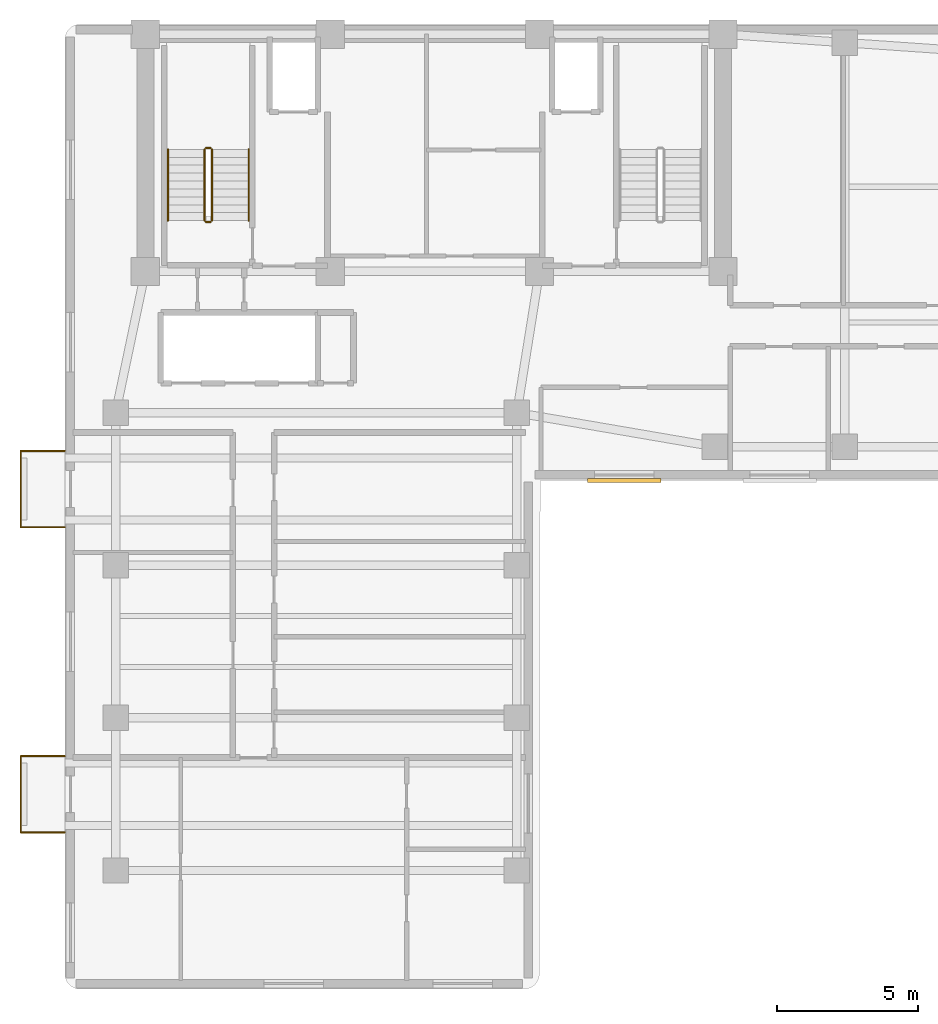
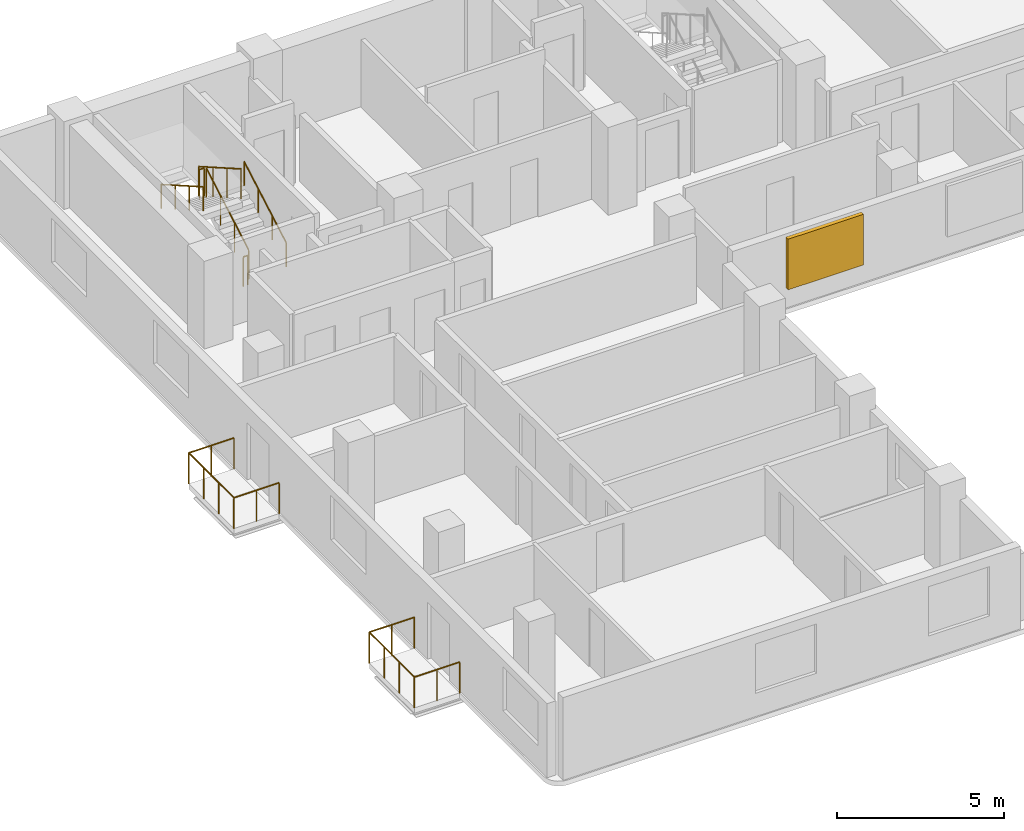
# One storey, part 5 of 6: 12 railings, 1 shading device.
"""IFC4 building model written with IfcOpenShell, lengths in metres."""

from ifc_helpers import new_model, si_unit, direction, frame, origin, origin_2d, place, context, subcontext, project, spatial, rectangle, circle, extrude, material, layer, layer_set, type_object, element, save


model = new_model("IFC4")

# Units and contexts
model_context = context("Model", 3, precision=1e-05, world=origin(), true_north=direction((0.0, 1.0)))
body_context = subcontext(model_context, "Body", "Model", "MODEL_VIEW")
ifc_project = project(units=[si_unit("LENGTHUNIT", "METRE"), si_unit("AREAUNIT", "SQUARE_METRE"), si_unit("VOLUMEUNIT", "CUBIC_METRE"), si_unit("PLANEANGLEUNIT", "RADIAN"), si_unit("MASSUNIT", "GRAM", prefix="KILO")], contexts=[model_context])

# Site, building, storey
site_placement = place(None, origin())
site = spatial("IfcSite", under=ifc_project, at=site_placement, CompositionType="ELEMENT")
building_placement = place(site_placement, origin())
building = spatial("IfcBuilding", under=site, at=building_placement, Name="Kuzgunbayir Cultural Tower", CompositionType="ELEMENT")
storey_placement = place(building_placement, frame((0.0, 0.0, 182.39990234375)))
storey = spatial("IfcBuildingStorey", under=building, at=storey_placement, Name="L53", CompositionType="ELEMENT", Elevation=182.39990234375)

# Railings
ifc_material_1 = material(Name="Laminated Glass and Stainless Steel", Category="steel")
ifc_layer_1 = layer(ifc_material_1, 0.080078125)
ifc_layer_set_1 = layer_set([ifc_layer_1], Name="Laminated Glass and Stainless Steel")
railing_type_1 = type_object("IfcRailingType", Name="RLG-BAL-115", PredefinedType="BALUSTRADE", material=ifc_layer_set_1)
railing_1_placement = place(storey_placement, frame((3.60009765625, 13.949951171875, 0.0)))
element("IfcRailing", 1, at=railing_1_placement, inside=storey, type_object=railing_type_1, Name="L53 Balcony Guard BAL-L53-WA1 Segment 1", PredefinedType="BALUSTRADE", context=body_context, shape_type="SweptSolid", body=[
    extrude(circle(Radius=0.02392578125, at=origin_2d()), frame((0.0, 0.0, 1.1259765625), z_axis=(-1.0, 0.0, 0.0), x_axis=(0.0, -1.0, 0.0)), (0.0, 0.0, 1.0), 1.56005859375),
    extrude(circle(Radius=0.02099609375, at=origin_2d()), origin(), (0.0, 0.0, 1.0), 1.101806640625),
    extrude(circle(Radius=0.02099609375, at=origin_2d()), frame((-0.780029296875, 0.0, 0.0)), (0.0, 0.0, 1.0), 1.101806640625),
    extrude(circle(Radius=0.02099609375, at=origin_2d()), frame((-1.56005859375, 0.0, 0.0)), (0.0, 0.0, 1.0), 1.101806640625),
])
railing_2_placement = place(storey_placement, frame((2.0400390625, 13.949951171875, 0.0)))
element("IfcRailing", 2, at=railing_2_placement, inside=storey, type_object=railing_type_1, Name="L53 Balcony Guard BAL-L53-WA1 Segment 2", PredefinedType="BALUSTRADE", context=body_context, shape_type="SweptSolid", body=[
    extrude(circle(Radius=0.02392578125, at=origin_2d()), frame((0.0, 0.0, 1.1259765625), z_axis=(0.0, 1.0, 0.0), x_axis=(-1.0, 0.0, 0.0)), (0.0, 0.0, 1.0), 2.699951171875),
    extrude(circle(Radius=0.02099609375, at=origin_2d()), origin(), (0.0, 0.0, 1.0), 1.101806640625),
    extrude(circle(Radius=0.02099609375, at=origin_2d()), frame((0.0, 0.89990234375, 0.0)), (0.0, 0.0, 1.0), 1.101806640625),
    extrude(circle(Radius=0.02099609375, at=origin_2d()), frame((0.0, 1.800048828125, 0.0)), (0.0, 0.0, 1.0), 1.101806640625),
    extrude(circle(Radius=0.02099609375, at=origin_2d()), frame((0.0, 2.699951171875, 0.0)), (0.0, 0.0, 1.0), 1.101806640625),
])
railing_3_placement = place(storey_placement, frame((2.0400390625, 16.64990234375, 0.0)))
element("IfcRailing", 3, at=railing_3_placement, inside=storey, type_object=railing_type_1, Name="L53 Balcony Guard BAL-L53-WA1 Segment 3", PredefinedType="BALUSTRADE", context=body_context, shape_type="SweptSolid", body=[
    extrude(circle(Radius=0.02392578125, at=origin_2d()), frame((0.0, 0.0, 1.1259765625), z_axis=(1.0, 0.0, 0.0), x_axis=(0.0, 1.0, 0.0)), (0.0, 0.0, 1.0), 1.56005859375),
    extrude(circle(Radius=0.02099609375, at=origin_2d()), origin(), (0.0, 0.0, 1.0), 1.101806640625),
    extrude(circle(Radius=0.02099609375, at=origin_2d()), frame((0.780029296875, 0.0, 0.0)), (0.0, 0.0, 1.0), 1.101806640625),
    extrude(circle(Radius=0.02099609375, at=origin_2d()), frame((1.56005859375, 0.0, 0.0)), (0.0, 0.0, 1.0), 1.101806640625),
])
railing_4_placement = place(storey_placement, frame((3.60009765625, 24.75, 0.0)))
element("IfcRailing", 4, at=railing_4_placement, inside=storey, type_object=railing_type_1, Name="L53 Balcony Guard BAL-L53-WA3 Segment 1", PredefinedType="BALUSTRADE", context=body_context, shape_type="SweptSolid", body=[
    extrude(circle(Radius=0.02392578125, at=origin_2d()), frame((0.0, 0.0, 1.1259765625), z_axis=(-1.0, 0.0, 0.0), x_axis=(0.0, -1.0, 0.0)), (0.0, 0.0, 1.0), 1.56005859375),
    extrude(circle(Radius=0.02099609375, at=origin_2d()), origin(), (0.0, 0.0, 1.0), 1.101806640625),
    extrude(circle(Radius=0.02099609375, at=origin_2d()), frame((-0.780029296875, 0.0, 0.0)), (0.0, 0.0, 1.0), 1.101806640625),
    extrude(circle(Radius=0.02099609375, at=origin_2d()), frame((-1.56005859375, 0.0, 0.0)), (0.0, 0.0, 1.0), 1.101806640625),
])
railing_5_placement = place(storey_placement, frame((2.0400390625, 24.75, 0.0)))
element("IfcRailing", 5, at=railing_5_placement, inside=storey, type_object=railing_type_1, Name="L53 Balcony Guard BAL-L53-WA3 Segment 2", PredefinedType="BALUSTRADE", context=body_context, shape_type="SweptSolid", body=[
    extrude(circle(Radius=0.02392578125, at=origin_2d()), frame((0.0, 0.0, 1.1259765625), z_axis=(0.0, 1.0, 0.0), x_axis=(-1.0, 0.0, 0.0)), (0.0, 0.0, 1.0), 2.699951171875),
    extrude(circle(Radius=0.02099609375, at=origin_2d()), origin(), (0.0, 0.0, 1.0), 1.101806640625),
    extrude(circle(Radius=0.02099609375, at=origin_2d()), frame((0.0, 0.89990234375, 0.0)), (0.0, 0.0, 1.0), 1.101806640625),
    extrude(circle(Radius=0.02099609375, at=origin_2d()), frame((0.0, 1.800048828125, 0.0)), (0.0, 0.0, 1.0), 1.101806640625),
    extrude(circle(Radius=0.02099609375, at=origin_2d()), frame((0.0, 2.699951171875, 0.0)), (0.0, 0.0, 1.0), 1.101806640625),
])
railing_6_placement = place(storey_placement, frame((2.0400390625, 27.449951171875, 0.0)))
element("IfcRailing", 6, at=railing_6_placement, inside=storey, type_object=railing_type_1, Name="L53 Balcony Guard BAL-L53-WA3 Segment 3", PredefinedType="BALUSTRADE", context=body_context, shape_type="SweptSolid", body=[
    extrude(circle(Radius=0.02392578125, at=origin_2d()), frame((0.0, 0.0, 1.1259765625), z_axis=(1.0, 0.0, 0.0), x_axis=(0.0, 1.0, 0.0)), (0.0, 0.0, 1.0), 1.56005859375),
    extrude(circle(Radius=0.02099609375, at=origin_2d()), origin(), (0.0, 0.0, 1.0), 1.101806640625),
    extrude(circle(Radius=0.02099609375, at=origin_2d()), frame((0.780029296875, 0.0, 0.0)), (0.0, 0.0, 1.0), 1.101806640625),
    extrude(circle(Radius=0.02099609375, at=origin_2d()), frame((1.56005859375, 0.0, 0.0)), (0.0, 0.0, 1.0), 1.101806640625),
])
ifc_material_2 = material(Name="Brushed Stainless Steel", Category="steel")
ifc_layer_2 = layer(ifc_material_2, 0.050048828125)
ifc_layer_set_2 = layer_set([ifc_layer_2], Name="Brushed Stainless Steel")
railing_type_2 = type_object("IfcRailingType", Name="RLG-STAIR-HANDRAIL", PredefinedType="HANDRAIL", material=ifc_layer_set_2)
railing_7_placement = place(storey_placement, frame((10.110107421875, 35.60009765625, 0.16015625)))
element("IfcRailing", 7, at=railing_7_placement, inside=storey, type_object=railing_type_2, Name="L53 ST-1 stair handrail 1", PredefinedType="HANDRAIL", context=body_context, shape_type="SweptSolid", body=[
    extrude(circle(Radius=0.02392578125, at=origin_2d()), frame((0.0, 0.0, 0.8759765625), z_axis=(0.0, 0.868253494771, 0.496120820787), x_axis=(-1.0, 0.0, 0.0)), (0.0, 0.0, 1.0), 2.90234375),
    extrude(circle(Radius=0.02099609375, at=origin_2d()), origin(), (0.0, 0.0, 1.0), 0.851806640625),
    extrude(circle(Radius=0.02099609375, at=origin_2d()), frame((0.0, 0.840087890625, 0.47998046875)), (0.0, 0.0, 1.0), 0.851806640625),
    extrude(circle(Radius=0.02099609375, at=origin_2d()), frame((0.0, 1.679931640625, 0.9599609375)), (0.0, 0.0, 1.0), 0.851806640625),
    extrude(circle(Radius=0.02099609375, at=origin_2d()), frame((0.0, 2.52001953125, 1.43994140625)), (0.0, 0.0, 1.0), 0.851806640625),
])
railing_8_placement = place(storey_placement, frame((7.25, 38.1201171875, 1.760009765625)))
element("IfcRailing", 8, at=railing_8_placement, inside=storey, type_object=railing_type_2, Name="L53 ST-1 stair handrail 2", PredefinedType="HANDRAIL", context=body_context, shape_type="SweptSolid", body=[
    extrude(circle(Radius=0.02392578125, at=origin_2d()), frame((0.0, 0.0, 0.8759765625), z_axis=(0.0, -0.868217259934, 0.496184229447), x_axis=(1.0, 0.0, 0.0)), (0.0, 0.0, 1.0), 2.902587890625),
    extrude(circle(Radius=0.02099609375, at=origin_2d()), origin(), (0.0, 0.0, 1.0), 0.851806640625),
    extrude(circle(Radius=0.02099609375, at=origin_2d()), frame((0.0, -0.840087890625, 0.47998046875)), (0.0, 0.0, 1.0), 0.851806640625),
    extrude(circle(Radius=0.02099609375, at=origin_2d()), frame((0.0, -1.679931640625, 0.960205078125)), (0.0, 0.0, 1.0), 0.851806640625),
    extrude(circle(Radius=0.02099609375, at=origin_2d()), frame((0.0, -2.52001953125, 1.440185546875)), (0.0, 0.0, 1.0), 0.851806640625),
])
ifc_material_3 = material(Name="Painted Steel Balustrade", Category="steel")
ifc_layer_3 = layer(ifc_material_3, 0.06005859375)
ifc_layer_set_3 = layer_set([ifc_layer_3], Name="Painted Steel Balustrade")
railing_type_3 = type_object("IfcRailingType", Name="RLG-WELL-GUARD", PredefinedType="GUARDRAIL", material=ifc_layer_set_3)
railing_9_placement = place(storey_placement, frame((8.81005859375, 35.60009765625, 0.16015625)))
element("IfcRailing", 9, at=railing_9_placement, inside=storey, type_object=railing_type_3, Name="L53 ST-1 stair guard 1", PredefinedType="GUARDRAIL", context=body_context, shape_type="SweptSolid", body=[
    extrude(circle(Radius=0.02392578125, at=origin_2d()), frame((0.0, 0.0, 1.076171875), z_axis=(0.0, 0.868253494771, 0.496120820787), x_axis=(-1.0, 0.0, 0.0)), (0.0, 0.0, 1.0), 2.90234375),
    extrude(circle(Radius=0.02099609375, at=origin_2d()), origin(), (0.0, 0.0, 1.0), 1.052001953125),
    extrude(circle(Radius=0.02099609375, at=origin_2d()), frame((0.0, 0.840087890625, 0.47998046875)), (0.0, 0.0, 1.0), 1.052001953125),
    extrude(circle(Radius=0.02099609375, at=origin_2d()), frame((0.0, 1.679931640625, 0.9599609375)), (0.0, 0.0, 1.0), 1.052001953125),
    extrude(circle(Radius=0.02099609375, at=origin_2d()), frame((0.0, 2.52001953125, 1.43994140625)), (0.0, 0.0, 1.0), 1.052001953125),
])
railing_10_placement = place(storey_placement, frame((8.760009765625, 38.169921875, 1.60009765625)))
element("IfcRailing", 10, at=railing_10_placement, inside=storey, type_object=railing_type_3, Name="L53 ST-1 stair guard 2", PredefinedType="GUARDRAIL", context=body_context, shape_type="SweptSolid", body=[
    extrude(circle(Radius=0.02392578125, at=origin_2d()), frame((0.0, 0.0, 1.076171875), z_axis=(-1.0, 0.0, 0.0), x_axis=(0.0, -1.0, 0.0)), (0.0, 0.0, 1.0), 0.159912109375),
    extrude(circle(Radius=0.02099609375, at=origin_2d()), origin(), (0.0, 0.0, 1.0), 1.052001953125),
    extrude(circle(Radius=0.02099609375, at=origin_2d()), frame((-0.159912109375, 0.0, 0.0)), (0.0, 0.0, 1.0), 1.052001953125),
])
railing_11_placement = place(storey_placement, frame((8.550048828125, 38.1201171875, 1.760009765625)))
element("IfcRailing", 11, at=railing_11_placement, inside=storey, type_object=railing_type_3, Name="L53 ST-1 stair guard 3", PredefinedType="GUARDRAIL", context=body_context, shape_type="SweptSolid", body=[
    extrude(circle(Radius=0.02392578125, at=origin_2d()), frame((0.0, 0.0, 1.076171875), z_axis=(0.0, -0.868217259934, 0.496184229447), x_axis=(1.0, 0.0, 0.0)), (0.0, 0.0, 1.0), 2.902587890625),
    extrude(circle(Radius=0.02099609375, at=origin_2d()), origin(), (0.0, 0.0, 1.0), 1.052001953125),
    extrude(circle(Radius=0.02099609375, at=origin_2d()), frame((0.0, -0.840087890625, 0.47998046875)), (0.0, 0.0, 1.0), 1.052001953125),
    extrude(circle(Radius=0.02099609375, at=origin_2d()), frame((0.0, -1.679931640625, 0.960205078125)), (0.0, 0.0, 1.0), 1.052001953125),
    extrude(circle(Radius=0.02099609375, at=origin_2d()), frame((0.0, -2.52001953125, 1.440185546875)), (0.0, 0.0, 1.0), 1.052001953125),
])
railing_12_placement = place(storey_placement, frame((8.760009765625, 35.550048828125, 0.0)))
element("IfcRailing", 12, at=railing_12_placement, inside=storey, type_object=railing_type_3, Name="L53 ST-1 stair guard 4", PredefinedType="GUARDRAIL", context=body_context, shape_type="SweptSolid", body=[
    extrude(circle(Radius=0.02392578125, at=origin_2d()), frame((0.0, 0.0, 1.076171875), z_axis=(-1.0, 0.0, 0.0), x_axis=(0.0, -1.0, 0.0)), (0.0, 0.0, 1.0), 0.159912109375),
    extrude(circle(Radius=0.02099609375, at=origin_2d()), origin(), (0.0, 0.0, 1.0), 1.052001953125),
    extrude(circle(Radius=0.02099609375, at=origin_2d()), frame((-0.159912109375, 0.0, 0.0)), (0.0, 0.0, 1.0), 1.052001953125),
])

# Shading device
ifc_material_4 = material(Name="Perforated Bronze-Anodised Aluminium", Category="aluminium")
shading_device_type = type_object("IfcShadingDeviceType", Name="SHD-SOLAR-BRONZE", PredefinedType="JALOUSIE", material=ifc_material_4)
shading_device_placement = place(storey_placement, frame((23.39990234375, 26.39990234375, 0.735107421875), z_axis=(0.0, 0.0, 1.0), x_axis=(1.0, 0.0, 0.0)))
element("IfcShadingDevice", 13, at=shading_device_placement, inside=storey, type_object=shading_device_type, Name="L53 Solar Screen WBS12", PredefinedType="JALOUSIE", context=body_context, shape_type="SweptSolid", body=[
    extrude(rectangle(XDim=2.60009765625, YDim=0.139892578125, at=origin_2d()), origin(), (0.0, 0.0, 1.0), 1.85009765625),
])

save(model, "model.ifc")
